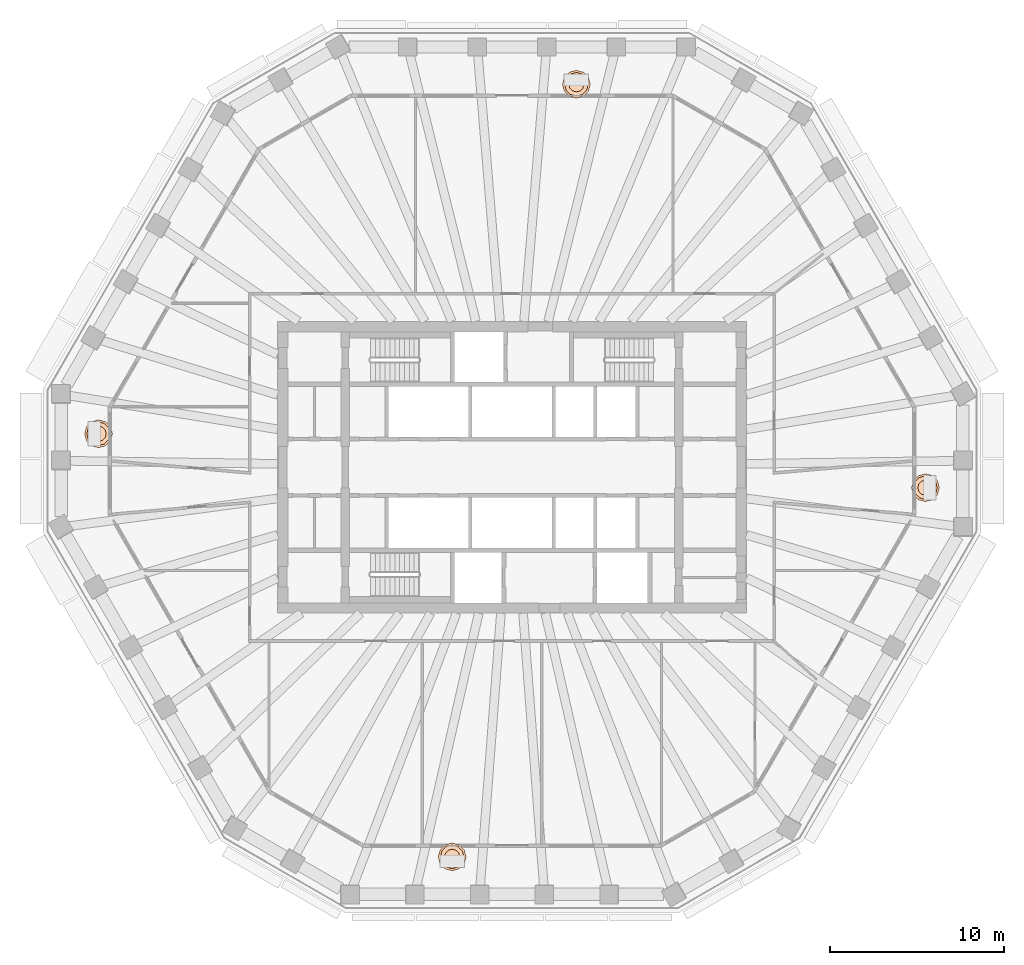
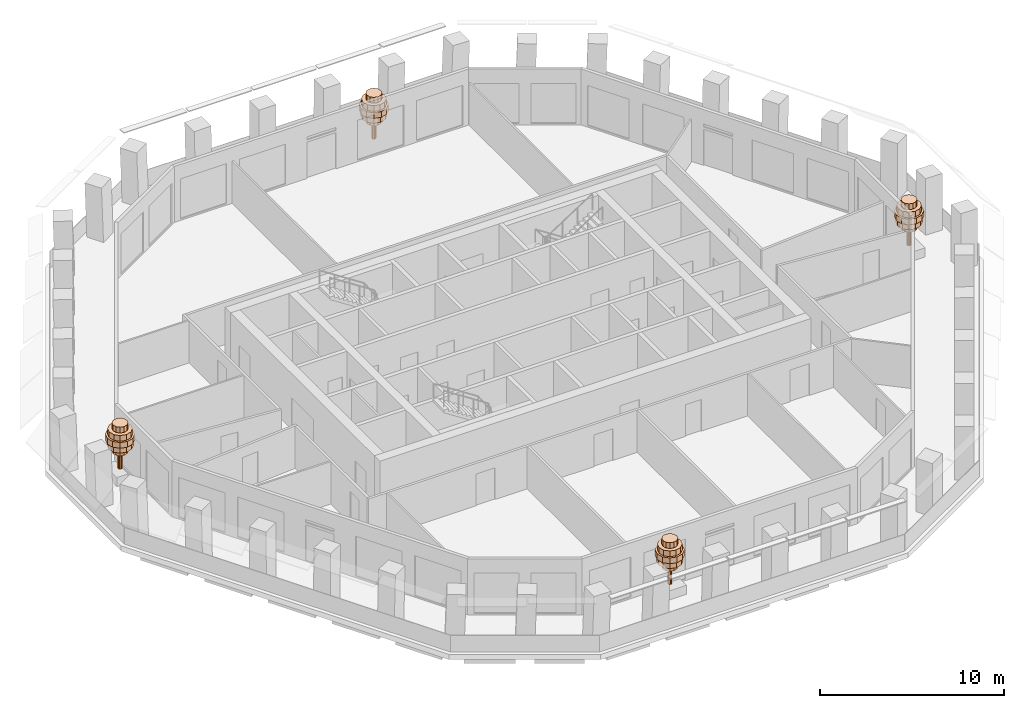
# One storey, part 12 of 12: 4 geographic elements.
"""IFC4 building model written with IfcOpenShell, lengths in metres."""

from ifc_helpers import new_model, si_unit, direction, frame, origin, place, context, subcontext, project, spatial, polyline, outline, extrude, material, type_object, element, save


model = new_model("IFC4")

# Units and contexts
model_context = context("Model", 3, precision=1e-05, world=origin(), true_north=direction((0.0, 1.0)))
body_context = subcontext(model_context, "Body", "Model", "MODEL_VIEW")
ifc_project = project(units=[si_unit("LENGTHUNIT", "METRE"), si_unit("AREAUNIT", "SQUARE_METRE"), si_unit("VOLUMEUNIT", "CUBIC_METRE"), si_unit("PLANEANGLEUNIT", "RADIAN"), si_unit("MASSUNIT", "GRAM", prefix="KILO")], contexts=[model_context])

# Site, building, storey
site_placement = place(None, origin())
site = spatial("IfcSite", under=ifc_project, at=site_placement, CompositionType="ELEMENT")
building_placement = place(site_placement, origin())
building = spatial("IfcBuilding", under=site, at=building_placement, Name="Frailejon Research Tower", CompositionType="ELEMENT")
storey_placement = place(building_placement, frame((0.0, 0.0, 223.39990234375)))
storey = spatial("IfcBuildingStorey", under=building, at=storey_placement, Name="L48", CompositionType="ELEMENT", Elevation=223.39990234375)

# Geographic elements
ifc_material = material(Name="Foliage, green")
geographic_element_type = type_object("IfcGeographicElementType", Name="Frailejon tree, loggia", PredefinedType="USERDEFINED", material=ifc_material)
geographic_element_1_placement = place(storey_placement, frame((23.802001953125, -1.174560546875, 0.60009765625)))
element("IfcGeographicElement", 1, at=geographic_element_1_placement, inside=storey, type_object=geographic_element_type, Name="Tree L48", ObjectType="TREE", PredefinedType="USERDEFINED", context=body_context, shape_type="SweptSolid", body=[
    extrude(outline(polyline([(0.1298828125, 0.0), (0.112548828125, 0.06494140625), (0.06494140625, 0.112548828125), (0.0, 0.1298828125), (-0.06494140625, 0.112548828125), (-0.112548828125, 0.06494140625), (-0.1298828125, 0.0), (-0.112548828125, -0.06494140625), (-0.06494140625, -0.112548828125), (0.0, -0.1298828125), (0.06494140625, -0.112548828125), (0.112548828125, -0.06494140625), (0.1298828125, 0.0)])), origin(), (0.0, 0.0, 1.0), 2.239990234375),
    extrude(outline(polyline([(0.43994140625, 0.0), (0.381103515625, 0.219970703125), (0.219970703125, 0.381103515625), (0.0, 0.43994140625), (-0.219970703125, 0.381103515625), (-0.381103515625, 0.219970703125), (-0.43994140625, 0.0), (-0.381103515625, -0.219970703125), (-0.219970703125, -0.381103515625), (0.0, -0.43994140625), (0.219970703125, -0.381103515625), (0.381103515625, -0.219970703125), (0.43994140625, 0.0)])), frame((0.0, 0.0, 1.10009765625)), (0.0, 0.0, 1.0), 0.3798828125),
    extrude(outline(polyline([(0.719970703125, 0.0), (0.62353515625, 0.360107421875), (0.360107421875, 0.62353515625), (0.0, 0.719970703125), (-0.360107421875, 0.62353515625), (-0.62353515625, 0.360107421875), (-0.719970703125, 0.0), (-0.62353515625, -0.360107421875), (-0.360107421875, -0.62353515625), (0.0, -0.719970703125), (0.360107421875, -0.62353515625), (0.62353515625, -0.360107421875), (0.719970703125, 0.0)])), frame((0.0, 0.0, 1.47998046875)), (0.0, 0.0, 1.0), 0.3798828125),
    extrude(outline(polyline([(0.800048828125, 0.0), (0.69287109375, 0.39990234375), (0.39990234375, 0.69287109375), (0.0, 0.800048828125), (-0.39990234375, 0.69287109375), (-0.69287109375, 0.39990234375), (-0.800048828125, 0.0), (-0.69287109375, -0.39990234375), (-0.39990234375, -0.69287109375), (0.0, -0.800048828125), (0.39990234375, -0.69287109375), (0.69287109375, -0.39990234375), (0.800048828125, 0.0)])), frame((0.0, 0.0, 1.860107421875)), (0.0, 0.0, 1.0), 0.3798828125),
    extrude(outline(polyline([(0.679931640625, 0.0), (0.5888671875, 0.340087890625), (0.340087890625, 0.5888671875), (0.0, 0.679931640625), (-0.340087890625, 0.5888671875), (-0.5888671875, 0.340087890625), (-0.679931640625, 0.0), (-0.5888671875, -0.340087890625), (-0.340087890625, -0.5888671875), (0.0, -0.679931640625), (0.340087890625, -0.5888671875), (0.5888671875, -0.340087890625), (0.679931640625, 0.0)])), frame((0.0, 0.0, 2.239990234375)), (0.0, 0.0, 1.0), 0.3798828125),
    extrude(outline(polyline([(0.43994140625, 0.0), (0.381103515625, 0.219970703125), (0.219970703125, 0.381103515625), (0.0, 0.43994140625), (-0.219970703125, 0.381103515625), (-0.381103515625, 0.219970703125), (-0.43994140625, 0.0), (-0.381103515625, -0.219970703125), (-0.219970703125, -0.381103515625), (0.0, -0.43994140625), (0.219970703125, -0.381103515625), (0.381103515625, -0.219970703125), (0.43994140625, 0.0)])), frame((0.0, 0.0, 2.6201171875)), (0.0, 0.0, 1.0), 0.3798828125),
])
geographic_element_2_placement = place(storey_placement, frame((3.7060546875, 22.050048828125, 0.60009765625)))
element("IfcGeographicElement", 2, at=geographic_element_2_placement, inside=storey, type_object=geographic_element_type, Name="Tree L48", ObjectType="TREE", PredefinedType="USERDEFINED", context=body_context, shape_type="SweptSolid", body=[
    extrude(outline(polyline([(0.1298828125, 0.0), (0.112548828125, 0.06494140625), (0.06494140625, 0.112548828125), (0.0, 0.1298828125), (-0.06494140625, 0.112548828125), (-0.112548828125, 0.06494140625), (-0.1298828125, 0.0), (-0.112548828125, -0.06494140625), (-0.06494140625, -0.112548828125), (0.0, -0.1298828125), (0.06494140625, -0.112548828125), (0.112548828125, -0.06494140625), (0.1298828125, 0.0)])), origin(), (0.0, 0.0, 1.0), 2.239990234375),
    extrude(outline(polyline([(0.43994140625, 0.0), (0.381103515625, 0.219970703125), (0.219970703125, 0.381103515625), (0.0, 0.43994140625), (-0.219970703125, 0.381103515625), (-0.381103515625, 0.219970703125), (-0.43994140625, 0.0), (-0.381103515625, -0.219970703125), (-0.219970703125, -0.381103515625), (0.0, -0.43994140625), (0.219970703125, -0.381103515625), (0.381103515625, -0.219970703125), (0.43994140625, 0.0)])), frame((0.0, 0.0, 1.10009765625)), (0.0, 0.0, 1.0), 0.3798828125),
    extrude(outline(polyline([(0.719970703125, 0.0), (0.62353515625, 0.360107421875), (0.360107421875, 0.62353515625), (0.0, 0.719970703125), (-0.360107421875, 0.62353515625), (-0.62353515625, 0.360107421875), (-0.719970703125, 0.0), (-0.62353515625, -0.360107421875), (-0.360107421875, -0.62353515625), (0.0, -0.719970703125), (0.360107421875, -0.62353515625), (0.62353515625, -0.360107421875), (0.719970703125, 0.0)])), frame((0.0, 0.0, 1.47998046875)), (0.0, 0.0, 1.0), 0.3798828125),
    extrude(outline(polyline([(0.800048828125, 0.0), (0.69287109375, 0.39990234375), (0.39990234375, 0.69287109375), (0.0, 0.800048828125), (-0.39990234375, 0.69287109375), (-0.69287109375, 0.39990234375), (-0.800048828125, 0.0), (-0.69287109375, -0.39990234375), (-0.39990234375, -0.69287109375), (0.0, -0.800048828125), (0.39990234375, -0.69287109375), (0.69287109375, -0.39990234375), (0.800048828125, 0.0)])), frame((0.0, 0.0, 1.860107421875)), (0.0, 0.0, 1.0), 0.3798828125),
    extrude(outline(polyline([(0.679931640625, 0.0), (0.5888671875, 0.340087890625), (0.340087890625, 0.5888671875), (0.0, 0.679931640625), (-0.340087890625, 0.5888671875), (-0.5888671875, 0.340087890625), (-0.679931640625, 0.0), (-0.5888671875, -0.340087890625), (-0.340087890625, -0.5888671875), (0.0, -0.679931640625), (0.340087890625, -0.5888671875), (0.5888671875, -0.340087890625), (0.679931640625, 0.0)])), frame((0.0, 0.0, 2.239990234375)), (0.0, 0.0, 1.0), 0.3798828125),
    extrude(outline(polyline([(0.43994140625, 0.0), (0.381103515625, 0.219970703125), (0.219970703125, 0.381103515625), (0.0, 0.43994140625), (-0.219970703125, 0.381103515625), (-0.381103515625, 0.219970703125), (-0.43994140625, 0.0), (-0.381103515625, -0.219970703125), (-0.219970703125, -0.381103515625), (0.0, -0.43994140625), (0.219970703125, -0.381103515625), (0.381103515625, -0.219970703125), (0.43994140625, 0.0)])), frame((0.0, 0.0, 2.6201171875)), (0.0, 0.0, 1.0), 0.3798828125),
])
geographic_element_3_placement = place(storey_placement, frame((-23.802001953125, 1.9287109375, 0.60009765625)))
element("IfcGeographicElement", 3, at=geographic_element_3_placement, inside=storey, type_object=geographic_element_type, Name="Tree L48", ObjectType="TREE", PredefinedType="USERDEFINED", context=body_context, shape_type="SweptSolid", body=[
    extrude(outline(polyline([(0.1298828125, 0.0), (0.112548828125, 0.06494140625), (0.06494140625, 0.112548828125), (0.0, 0.1298828125), (-0.06494140625, 0.112548828125), (-0.112548828125, 0.06494140625), (-0.1298828125, 0.0), (-0.112548828125, -0.06494140625), (-0.06494140625, -0.112548828125), (0.0, -0.1298828125), (0.06494140625, -0.112548828125), (0.112548828125, -0.06494140625), (0.1298828125, 0.0)])), origin(), (0.0, 0.0, 1.0), 2.239990234375),
    extrude(outline(polyline([(0.43994140625, 0.0), (0.381103515625, 0.219970703125), (0.219970703125, 0.381103515625), (0.0, 0.43994140625), (-0.219970703125, 0.381103515625), (-0.381103515625, 0.219970703125), (-0.43994140625, 0.0), (-0.381103515625, -0.219970703125), (-0.219970703125, -0.381103515625), (0.0, -0.43994140625), (0.219970703125, -0.381103515625), (0.381103515625, -0.219970703125), (0.43994140625, 0.0)])), frame((0.0, 0.0, 1.10009765625)), (0.0, 0.0, 1.0), 0.3798828125),
    extrude(outline(polyline([(0.719970703125, 0.0), (0.62353515625, 0.360107421875), (0.360107421875, 0.62353515625), (0.0, 0.719970703125), (-0.360107421875, 0.62353515625), (-0.62353515625, 0.360107421875), (-0.719970703125, 0.0), (-0.62353515625, -0.360107421875), (-0.360107421875, -0.62353515625), (0.0, -0.719970703125), (0.360107421875, -0.62353515625), (0.62353515625, -0.360107421875), (0.719970703125, 0.0)])), frame((0.0, 0.0, 1.47998046875)), (0.0, 0.0, 1.0), 0.3798828125),
    extrude(outline(polyline([(0.800048828125, 0.0), (0.69287109375, 0.39990234375), (0.39990234375, 0.69287109375), (0.0, 0.800048828125), (-0.39990234375, 0.69287109375), (-0.69287109375, 0.39990234375), (-0.800048828125, 0.0), (-0.69287109375, -0.39990234375), (-0.39990234375, -0.69287109375), (0.0, -0.800048828125), (0.39990234375, -0.69287109375), (0.69287109375, -0.39990234375), (0.800048828125, 0.0)])), frame((0.0, 0.0, 1.860107421875)), (0.0, 0.0, 1.0), 0.3798828125),
    extrude(outline(polyline([(0.679931640625, 0.0), (0.5888671875, 0.340087890625), (0.340087890625, 0.5888671875), (0.0, 0.679931640625), (-0.340087890625, 0.5888671875), (-0.5888671875, 0.340087890625), (-0.679931640625, 0.0), (-0.5888671875, -0.340087890625), (-0.340087890625, -0.5888671875), (0.0, -0.679931640625), (0.340087890625, -0.5888671875), (0.5888671875, -0.340087890625), (0.679931640625, 0.0)])), frame((0.0, 0.0, 2.239990234375)), (0.0, 0.0, 1.0), 0.3798828125),
    extrude(outline(polyline([(0.43994140625, 0.0), (0.381103515625, 0.219970703125), (0.219970703125, 0.381103515625), (0.0, 0.43994140625), (-0.219970703125, 0.381103515625), (-0.381103515625, 0.219970703125), (-0.43994140625, 0.0), (-0.381103515625, -0.219970703125), (-0.219970703125, -0.381103515625), (0.0, -0.43994140625), (0.219970703125, -0.381103515625), (0.381103515625, -0.219970703125), (0.43994140625, 0.0)])), frame((0.0, 0.0, 2.6201171875)), (0.0, 0.0, 1.0), 0.3798828125),
])
geographic_element_4_placement = place(storey_placement, frame((-3.44482421875, -22.427001953125, 0.60009765625)))
element("IfcGeographicElement", 4, at=geographic_element_4_placement, inside=storey, type_object=geographic_element_type, Name="Tree L48", ObjectType="TREE", PredefinedType="USERDEFINED", context=body_context, shape_type="SweptSolid", body=[
    extrude(outline(polyline([(0.1298828125, 0.0), (0.112548828125, 0.06494140625), (0.06494140625, 0.112548828125), (0.0, 0.1298828125), (-0.06494140625, 0.112548828125), (-0.112548828125, 0.06494140625), (-0.1298828125, 0.0), (-0.112548828125, -0.06494140625), (-0.06494140625, -0.112548828125), (0.0, -0.1298828125), (0.06494140625, -0.112548828125), (0.112548828125, -0.06494140625), (0.1298828125, 0.0)])), origin(), (0.0, 0.0, 1.0), 2.239990234375),
    extrude(outline(polyline([(0.43994140625, 0.0), (0.381103515625, 0.219970703125), (0.219970703125, 0.381103515625), (0.0, 0.43994140625), (-0.219970703125, 0.381103515625), (-0.381103515625, 0.219970703125), (-0.43994140625, 0.0), (-0.381103515625, -0.219970703125), (-0.219970703125, -0.381103515625), (0.0, -0.43994140625), (0.219970703125, -0.381103515625), (0.381103515625, -0.219970703125), (0.43994140625, 0.0)])), frame((0.0, 0.0, 1.10009765625)), (0.0, 0.0, 1.0), 0.3798828125),
    extrude(outline(polyline([(0.719970703125, 0.0), (0.62353515625, 0.360107421875), (0.360107421875, 0.62353515625), (0.0, 0.719970703125), (-0.360107421875, 0.62353515625), (-0.62353515625, 0.360107421875), (-0.719970703125, 0.0), (-0.62353515625, -0.360107421875), (-0.360107421875, -0.62353515625), (0.0, -0.719970703125), (0.360107421875, -0.62353515625), (0.62353515625, -0.360107421875), (0.719970703125, 0.0)])), frame((0.0, 0.0, 1.47998046875)), (0.0, 0.0, 1.0), 0.3798828125),
    extrude(outline(polyline([(0.800048828125, 0.0), (0.69287109375, 0.39990234375), (0.39990234375, 0.69287109375), (0.0, 0.800048828125), (-0.39990234375, 0.69287109375), (-0.69287109375, 0.39990234375), (-0.800048828125, 0.0), (-0.69287109375, -0.39990234375), (-0.39990234375, -0.69287109375), (0.0, -0.800048828125), (0.39990234375, -0.69287109375), (0.69287109375, -0.39990234375), (0.800048828125, 0.0)])), frame((0.0, 0.0, 1.860107421875)), (0.0, 0.0, 1.0), 0.3798828125),
    extrude(outline(polyline([(0.679931640625, 0.0), (0.5888671875, 0.340087890625), (0.340087890625, 0.5888671875), (0.0, 0.679931640625), (-0.340087890625, 0.5888671875), (-0.5888671875, 0.340087890625), (-0.679931640625, 0.0), (-0.5888671875, -0.340087890625), (-0.340087890625, -0.5888671875), (0.0, -0.679931640625), (0.340087890625, -0.5888671875), (0.5888671875, -0.340087890625), (0.679931640625, 0.0)])), frame((0.0, 0.0, 2.239990234375)), (0.0, 0.0, 1.0), 0.3798828125),
    extrude(outline(polyline([(0.43994140625, 0.0), (0.381103515625, 0.219970703125), (0.219970703125, 0.381103515625), (0.0, 0.43994140625), (-0.219970703125, 0.381103515625), (-0.381103515625, 0.219970703125), (-0.43994140625, 0.0), (-0.381103515625, -0.219970703125), (-0.219970703125, -0.381103515625), (0.0, -0.43994140625), (0.219970703125, -0.381103515625), (0.381103515625, -0.219970703125), (0.43994140625, 0.0)])), frame((0.0, 0.0, 2.6201171875)), (0.0, 0.0, 1.0), 0.3798828125),
])

save(model, "model.ifc")
